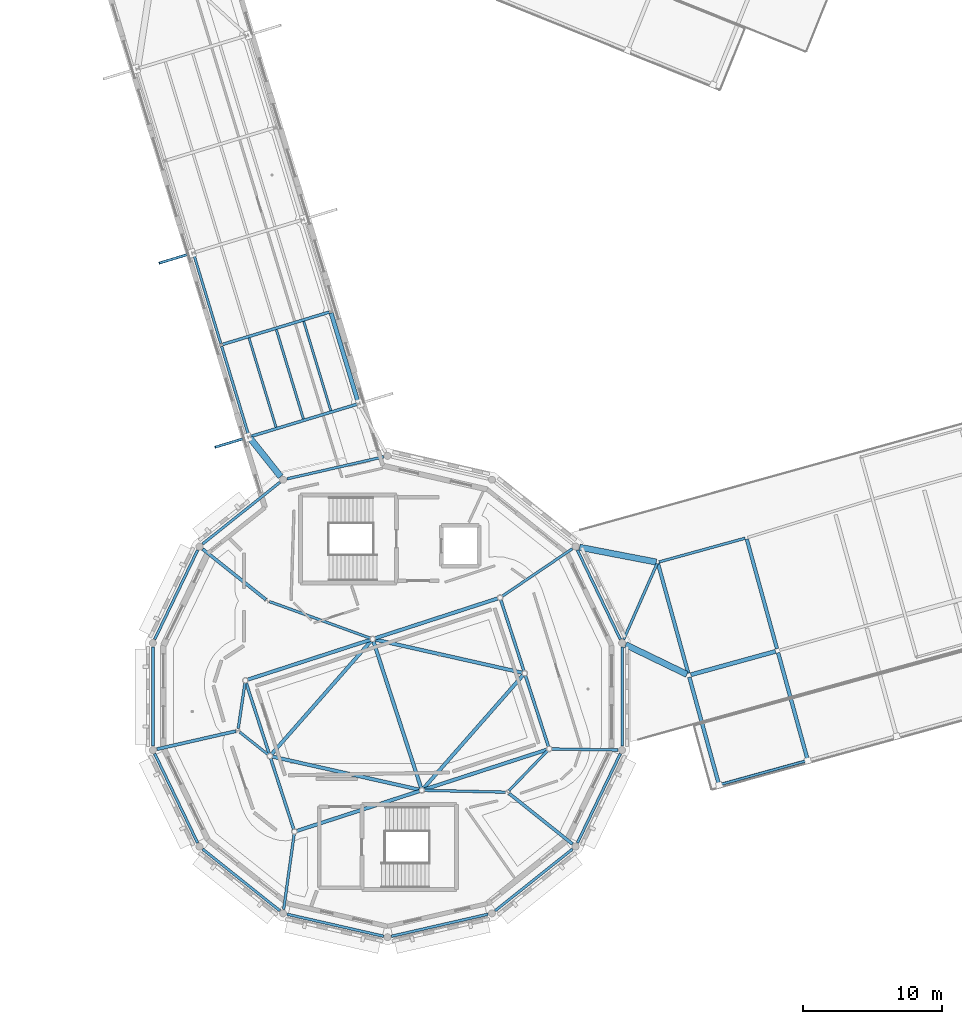
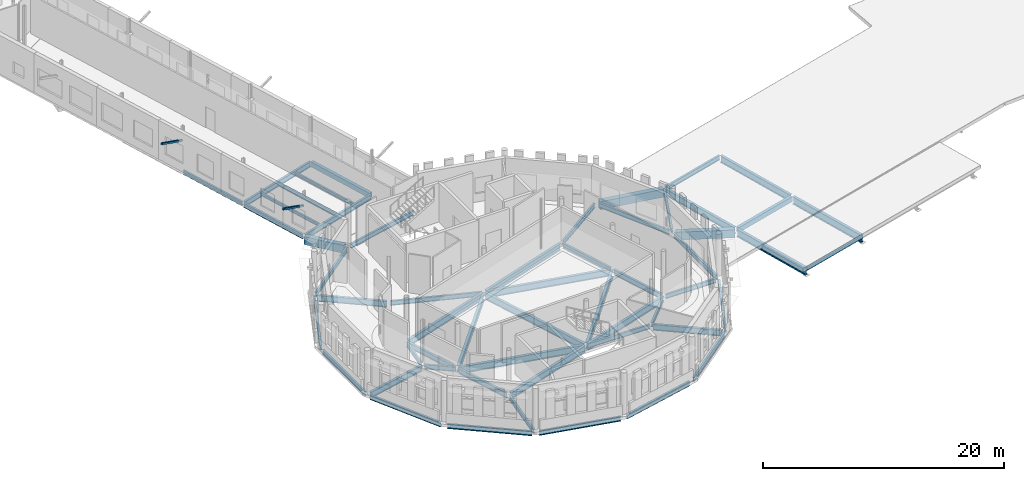
# One storey, part 24 of 90: 55 beams, 2 members.
"""IFC4 building model written with IfcOpenShell, lengths in metres."""

from ifc_helpers import new_model, si_unit, direction, frame, origin, origin_2d, place, context, subcontext, project, spatial, rectangle, hollow_rectangle, i_section, extrude, material, material_profile, profile_set, type_object, element, save


model = new_model("IFC4")

# Units and contexts
model_context = context("Model", 3, precision=1e-05, world=origin(), true_north=direction((0.0, 1.0)))
body_context = subcontext(model_context, "Body", "Model", "MODEL_VIEW")
ifc_project = project(units=[si_unit("LENGTHUNIT", "METRE"), si_unit("AREAUNIT", "SQUARE_METRE"), si_unit("VOLUMEUNIT", "CUBIC_METRE"), si_unit("PLANEANGLEUNIT", "RADIAN"), si_unit("MASSUNIT", "GRAM", prefix="KILO")], contexts=[model_context])

# Site, building, storey
site_placement = place(None, origin())
site = spatial("IfcSite", under=ifc_project, at=site_placement, CompositionType="ELEMENT")
building_placement = place(site_placement, origin())
building = spatial("IfcBuilding", under=site, at=building_placement, Name="Wrenclough Park School", CompositionType="ELEMENT")
storey_placement = place(building_placement, frame((0.0, 0.0, 8.39990234375)))
storey = spatial("IfcBuildingStorey", under=building, at=storey_placement, Name="L02", CompositionType="ELEMENT", Elevation=8.39990234375)

# Beams
ifc_material_1 = material(Name="Concrete C32/40", Category="concrete")
ifc_material_profile_1 = material_profile(ifc_material_1, rectangle(XDim=0.300048828125, YDim=0.5, at=origin_2d()), Name="RC BEAM 300x500")
ifc_profile_set_1 = profile_set([ifc_material_profile_1], Name="Concrete C32/40")
beam_type_1 = type_object("IfcBeamType", Name="STR-BM-RC300", PredefinedType="BEAM", material=ifc_profile_set_1)
beam_1_placement = place(storey_placement, frame((58.2451171875, 25.0625, -0.474853515625), z_axis=(0.963996729966, 0.265914092548, 0.0), x_axis=(-0.265914092548, 0.963996729966, 0.0)))
element("IfcBeam", 1, at=beam_1_placement, inside=storey, type_object=beam_type_1, Name="W12 L02 longitudinal edge beam R1", PredefinedType="BEAM", context=body_context, shape_type="SweptSolid", body=[
    extrude(rectangle(XDim=0.300048828125, YDim=0.5, at=origin_2d()), origin(), (0.0, 0.0, 1.0), 6.29833984375),
])
beam_2_placement = place(storey_placement, frame((34.39453125, 44.585205078125, -0.489990234375), z_axis=(-0.290006383217, 0.957024711119, 0.0), x_axis=(-0.957024711119, -0.290006383217, 0.0)))
element("IfcBeam", 2, at=beam_2_placement, inside=storey, type_object=beam_type_1, Name="W23 L02 longitudinal edge beam R1", PredefinedType="BEAM", context=body_context, shape_type="SweptSolid", body=[
    extrude(rectangle(XDim=0.300048828125, YDim=0.5, at=origin_2d()), origin(), (0.0, 0.0, 1.0), 6.6953125),
])
ifc_material_2 = material(Name="Concrete C40/50", Category="concrete")
ifc_material_profile_2 = material_profile(ifc_material_2, rectangle(XDim=0.449951171875, YDim=0.800048828125, at=origin_2d()), Name="RC BEAM 450x800")
ifc_profile_set_2 = profile_set([ifc_material_profile_2], Name="Concrete C40/50")
beam_type_2 = type_object("IfcBeamType", Name="STR-BM-RC450", PredefinedType="BEAM", material=ifc_profile_set_2)
beam_3_placement = place(storey_placement, frame((55.767333984375, 33.13916015625, -0.679931640625), z_axis=(-0.981866859507, 0.18957180751, 0.0), x_axis=(-0.18957180751, -0.981866859507, 0.0)))
element("IfcBeam", 3, at=beam_3_placement, inside=storey, type_object=beam_type_2, Name="W12 L02 drum junction tie beam 2", PredefinedType="BEAM", context=body_context, shape_type="SweptSolid", body=[
    extrude(rectangle(XDim=0.449951171875, YDim=0.800048828125, at=origin_2d()), origin(), (0.0, 0.0, 1.0), 5.599609375),
])
beam_4_placement = place(storey_placement, frame((57.9638671875, 25.08837890625, -0.679931640625), z_axis=(-0.900024917019, 0.4358384434, 0.0), x_axis=(-0.4358384434, -0.900024917019, 0.0)))
element("IfcBeam", 4, at=beam_4_placement, inside=storey, type_object=beam_type_2, Name="W12 L02 drum junction tie beam 4", PredefinedType="BEAM", context=body_context, shape_type="SweptSolid", body=[
    extrude(rectangle(XDim=0.449951171875, YDim=0.800048828125, at=origin_2d()), origin(), (0.0, 0.0, 1.0), 4.87451171875),
])
beam_5_placement = place(storey_placement, frame((26.638916015625, 42.0322265625, -0.679931640625), z_axis=(0.622128984043, -0.782914763696, 0.0), x_axis=(0.782914763696, 0.622128984043, 0.0)))
element("IfcBeam", 5, at=beam_5_placement, inside=storey, type_object=beam_type_2, Name="W23 L02 drum junction tie beam 10", PredefinedType="BEAM", context=body_context, shape_type="SweptSolid", body=[
    extrude(rectangle(XDim=0.449951171875, YDim=0.800048828125, at=origin_2d()), origin(), (0.0, 0.0, 1.0), 3.53173828125),
])
ifc_material_3 = material(Name="Structural steel S355", Category="steel")
ifc_material_profile_3 = material_profile(ifc_material_3, hollow_rectangle(XDim=0.199951171875, YDim=0.300048828125, WallThickness=0.012451171875, InnerFilletRadius=0.012451171875, OuterFilletRadius=0.018798828125, at=origin_2d()), Name="RHS 300x200x12.5")
ifc_profile_set_3 = profile_set([ifc_material_profile_3], Name="Structural steel S355")
beam_type_3 = type_object("IfcBeamType", Name="STR-BM-RHS300", PredefinedType="SPANDREL", material=ifc_profile_set_3)
beam_6_placement = place(storey_placement, frame((60.2666015625, 17.166015625, -0.375), z_axis=(0.964013869435, 0.26585195041, 0.0), x_axis=(-0.26585195041, 0.964013869435, 0.0)))
element("IfcBeam", 6, at=beam_6_placement, inside=storey, type_object=beam_type_3, Name="EAVE-ENTRANCE overhanging eave tip fascia beam 1", PredefinedType="SPANDREL", context=body_context, shape_type="SweptSolid", body=[
    extrude(hollow_rectangle(XDim=0.199951171875, YDim=0.300048828125, WallThickness=0.012451171875, InnerFilletRadius=0.012451171875, OuterFilletRadius=0.018798828125, at=origin_2d()), origin(), (0.0, 0.0, 1.0), 6.60009765625),
])
ifc_material_profile_4 = material_profile(ifc_material_3, i_section(OverallWidth=0.1650390625, OverallDepth=0.303466796875, WebThickness=0.006103515625, FlangeThickness=0.01025390625, FilletRadius=0.0087890625, at=origin_2d()), Name="UKB 305x165x40")
ifc_profile_set_4 = profile_set([ifc_material_profile_4], Name="Structural steel S355")
beam_type_4 = type_object("IfcBeamType", Name="STR-BM-UKB305", PredefinedType="JOIST", material=ifc_profile_set_4)
for number, where, z_axis, x_axis, name in (
    (7, (28.5078125, 42.8056640625, -0.3916015625), (-0.290029687664, 0.957017648883, 0.0), (-0.957017648883, -0.290029687664, 0.0), "W23 L02 secondary floor joist 0037"),
    (8, (32.431640625, 43.99462890625, -0.3916015625), (-0.290029687664, 0.957017648883, 0.0), (-0.957017648883, -0.290029687664, 0.0), "W23 L02 secondary floor joist 0039"),
):
    element("IfcBeam", number, at=place(storey_placement, frame(where, z_axis=z_axis, x_axis=x_axis)), inside=storey, type_object=beam_type_4, Name=name, PredefinedType="JOIST", context=body_context, shape_type="SweptSolid", body=[
        extrude(i_section(OverallWidth=0.1650390625, OverallDepth=0.303466796875, WebThickness=0.006103515625, FlangeThickness=0.01025390625, FilletRadius=0.0087890625, at=origin_2d()), origin(), (0.0, 0.0, 1.0), 6.68701171875),
    ])
ifc_material_profile_5 = material_profile(ifc_material_3, i_section(OverallWidth=0.17138671875, OverallDepth=0.35498046875, WebThickness=0.00732421875, FlangeThickness=0.011474609375, FilletRadius=0.01025390625, at=origin_2d()), Name="UKB 356x171x51")
ifc_profile_set_5 = profile_set([ifc_material_profile_5], Name="Structural steel S355")
beam_type_5 = type_object("IfcBeamType", Name="STR-BM-UKB356", PredefinedType="JOIST", material=ifc_profile_set_5)
beam_7_placement = place(storey_placement, frame((30.4697265625, 43.400146484375, -0.41748046875), z_axis=(-0.290029687664, 0.957017648883, 0.0), x_axis=(-0.957017648883, -0.290029687664, 0.0)))
element("IfcBeam", 9, at=beam_7_placement, inside=storey, type_object=beam_type_5, Name="W23 L02 secondary floor joist 0038", PredefinedType="JOIST", context=body_context, shape_type="SweptSolid", body=[
    extrude(i_section(OverallWidth=0.17138671875, OverallDepth=0.35498046875, WebThickness=0.00732421875, FlangeThickness=0.011474609375, FilletRadius=0.01025390625, at=origin_2d()), origin(), (0.0, 0.0, 1.0), 6.68701171875),
])
ifc_material_profile_6 = material_profile(ifc_material_3, i_section(OverallWidth=0.177978515625, OverallDepth=0.406494140625, WebThickness=0.0078125, FlangeThickness=0.0126953125, FilletRadius=0.01025390625, at=origin_2d()), Name="UKB 406x178x60")
ifc_profile_set_6 = profile_set([ifc_material_profile_6], Name="Structural steel S355")
beam_type_6 = type_object("IfcBeamType", Name="STR-BM-UKB406", PredefinedType="BEAM", material=ifc_profile_set_6)
beam_8_placement = place(storey_placement, frame((24.547119140625, 48.807373046875, -0.443115234375), z_axis=(-0.290016504178, 0.957021644115, 0.0), x_axis=(-0.957021644115, -0.290016504178, 0.0)))
element("IfcBeam", 10, at=beam_8_placement, inside=storey, type_object=beam_type_6, Name="W23 L02 longitudinal edge beam L2", PredefinedType="BEAM", context=body_context, shape_type="SweptSolid", body=[
    extrude(i_section(OverallWidth=0.177978515625, OverallDepth=0.406494140625, WebThickness=0.0078125, FlangeThickness=0.0126953125, FilletRadius=0.01025390625, at=origin_2d()), origin(), (0.0, 0.0, 1.0), 6.695068359375),
])
ifc_material_profile_7 = material_profile(ifc_material_3, i_section(OverallWidth=0.18994140625, OverallDepth=0.453369140625, WebThickness=0.008544921875, FlangeThickness=0.0126953125, FilletRadius=0.01025390625, at=origin_2d()), Name="UKB 457x191x67")
ifc_profile_set_7 = profile_set([ifc_material_profile_7], Name="Structural steel S355")
beam_type_7 = type_object("IfcBeamType", Name="STR-BM-UKB457A", PredefinedType="BEAM", material=ifc_profile_set_7)
beam_9_placement = place(storey_placement, frame((55.963134765625, 33.14697265625, -0.45166015625), z_axis=(0.964011503304, 0.26586053016, 0.0), x_axis=(-0.26586053016, 0.964011503304, 0.0)))
element("IfcBeam", 11, at=beam_9_placement, inside=storey, type_object=beam_type_7, Name="W12 L02 longitudinal edge beam L1", PredefinedType="BEAM", context=body_context, shape_type="SweptSolid", body=[
    extrude(i_section(OverallWidth=0.18994140625, OverallDepth=0.453369140625, WebThickness=0.008544921875, FlangeThickness=0.0126953125, FilletRadius=0.01025390625, at=origin_2d()), origin(), (0.0, 0.0, 1.0), 6.398681640625),
])
beam_10_placement = place(storey_placement, frame((26.547119140625, 42.207275390625, -0.466552734375), z_axis=(-0.290006383217, 0.957024711119, 0.0), x_axis=(-0.957024711119, -0.290006383217, 0.0)))
element("IfcBeam", 12, at=beam_10_placement, inside=storey, type_object=beam_type_7, Name="W23 L02 longitudinal edge beam L1", PredefinedType="BEAM", context=body_context, shape_type="SweptSolid", body=[
    extrude(i_section(OverallWidth=0.18994140625, OverallDepth=0.453369140625, WebThickness=0.008544921875, FlangeThickness=0.0126953125, FilletRadius=0.01025390625, at=origin_2d()), origin(), (0.0, 0.0, 1.0), 6.6953125),
])
beam_11_placement = place(storey_placement, frame((29.806640625, 13.63525390625, -0.506591796875), z_axis=(-0.137992447638, -0.990433281143, 0.0), x_axis=(0.990433281143, -0.137992447638, 0.0)))
element("IfcBeam", 13, at=beam_11_placement, inside=storey, type_object=beam_type_7, Name="Primary frame continuity tie beam 0044", PredefinedType="BEAM", context=body_context, shape_type="SweptSolid", body=[
    extrude(i_section(OverallWidth=0.18994140625, OverallDepth=0.453369140625, WebThickness=0.008544921875, FlangeThickness=0.0126953125, FilletRadius=0.01025390625, at=origin_2d()), origin(), (0.0, 0.0, 1.0), 5.44384765625),
])
beam_12_placement = place(storey_placement, frame((27.9296875, 19.344482421875, -0.506591796875), z_axis=(-0.783584446301, 0.621285293175, 0.0), x_axis=(-0.621285293175, -0.783584446301, 0.0)))
element("IfcBeam", 14, at=beam_12_placement, inside=storey, type_object=beam_type_7, Name="Primary frame continuity tie beam 0046", PredefinedType="BEAM", context=body_context, shape_type="SweptSolid", body=[
    extrude(i_section(OverallWidth=0.18994140625, OverallDepth=0.453369140625, WebThickness=0.008544921875, FlangeThickness=0.0126953125, FilletRadius=0.01025390625, at=origin_2d()), origin(), (0.0, 0.0, 1.0), 2.597900390625),
])
beam_13_placement = place(storey_placement, frame((26.2822265625, 24.4775390625, -0.506591796875), z_axis=(-0.146270775667, -0.989244590678, 0.0), x_axis=(0.989244590678, -0.146270775667, 0.0)))
element("IfcBeam", 15, at=beam_13_placement, inside=storey, type_object=beam_type_7, Name="Primary frame continuity tie beam 0050", PredefinedType="BEAM", context=body_context, shape_type="SweptSolid", body=[
    extrude(i_section(OverallWidth=0.18994140625, OverallDepth=0.453369140625, WebThickness=0.008544921875, FlangeThickness=0.0126953125, FilletRadius=0.01025390625, at=origin_2d()), origin(), (0.0, 0.0, 1.0), 3.3115234375),
])
beam_14_placement = place(storey_placement, frame((39.14013671875, 16.77490234375, -0.506591796875), z_axis=(0.999750140675, -0.022352991294, 0.0), x_axis=(0.022352991294, 0.999750140675, 0.0)))
element("IfcBeam", 16, at=beam_14_placement, inside=storey, type_object=beam_type_7, Name="Primary frame continuity tie beam 0054", PredefinedType="BEAM", context=body_context, shape_type="SweptSolid", body=[
    extrude(i_section(OverallWidth=0.18994140625, OverallDepth=0.453369140625, WebThickness=0.008544921875, FlangeThickness=0.0126953125, FilletRadius=0.01025390625, at=origin_2d()), origin(), (0.0, 0.0, 1.0), 5.810546875),
])
beam_15_placement = place(storey_placement, frame((35.2705078125, 27.681884765625, -0.506591796875), z_axis=(-0.939945337011, 0.341325011434, 0.0), x_axis=(-0.341325011434, -0.939945337011, 0.0)))
element("IfcBeam", 17, at=beam_15_placement, inside=storey, type_object=beam_type_7, Name="Primary frame continuity tie beam 0058", PredefinedType="BEAM", context=body_context, shape_type="SweptSolid", body=[
    extrude(i_section(OverallWidth=0.18994140625, OverallDepth=0.453369140625, WebThickness=0.008544921875, FlangeThickness=0.0126953125, FilletRadius=0.01025390625, at=origin_2d()), origin(), (0.0, 0.0, 1.0), 7.690673828125),
])
beam_16_placement = place(storey_placement, frame((47.96728515625, 19.61669921875, -0.506591796875), z_axis=(-0.693923305112, -0.720048919604, 0.0), x_axis=(0.720048919604, -0.693923305112, 0.0)))
element("IfcBeam", 18, at=beam_16_placement, inside=storey, type_object=beam_type_7, Name="Primary frame continuity tie beam 0062", PredefinedType="BEAM", context=body_context, shape_type="SweptSolid", body=[
    extrude(i_section(OverallWidth=0.18994140625, OverallDepth=0.453369140625, WebThickness=0.008544921875, FlangeThickness=0.0126953125, FilletRadius=0.01025390625, at=origin_2d()), origin(), (0.0, 0.0, 1.0), 3.98095703125),
])
beam_17_placement = place(storey_placement, frame((48.270263671875, 19.74267578125, -0.506591796875), z_axis=(0.999870299133, -0.016105431103, 0.0), x_axis=(0.016105431103, 0.999870299133, 0.0)))
element("IfcBeam", 19, at=beam_17_placement, inside=storey, type_object=beam_type_7, Name="Primary frame continuity tie beam 0064", PredefinedType="BEAM", context=body_context, shape_type="SweptSolid", body=[
    extrude(i_section(OverallWidth=0.18994140625, OverallDepth=0.453369140625, WebThickness=0.008544921875, FlangeThickness=0.0126953125, FilletRadius=0.01025390625, at=origin_2d()), origin(), (0.0, 0.0, 1.0), 4.760009765625),
])
beam_18_placement = place(storey_placement, frame((44.716796875, 30.68798828125, -0.506591796875), z_axis=(0.828110046098, 0.560565564008, 0.0), x_axis=(-0.560565564008, 0.828110046098, 0.0)))
element("IfcBeam", 20, at=beam_18_placement, inside=storey, type_object=beam_type_7, Name="Primary frame continuity tie beam 0072", PredefinedType="BEAM", context=body_context, shape_type="SweptSolid", body=[
    extrude(i_section(OverallWidth=0.18994140625, OverallDepth=0.453369140625, WebThickness=0.008544921875, FlangeThickness=0.0126953125, FilletRadius=0.01025390625, at=origin_2d()), origin(), (0.0, 0.0, 1.0), 6.07568359375),
])
beam_19_placement = place(storey_placement, frame((55.82568359375, 33.028076171875, -0.506591796875), z_axis=(-0.403378684813, -0.915033134175, 0.0), x_axis=(0.915033134175, -0.403378684813, 0.0)))
element("IfcBeam", 21, at=beam_19_placement, inside=storey, type_object=beam_type_7, Name="Primary frame continuity tie beam 0116", PredefinedType="BEAM", context=body_context, shape_type="SweptSolid", body=[
    extrude(i_section(OverallWidth=0.18994140625, OverallDepth=0.453369140625, WebThickness=0.008544921875, FlangeThickness=0.0126953125, FilletRadius=0.01025390625, at=origin_2d()), origin(), (0.0, 0.0, 1.0), 5.93017578125),
])
ifc_material_profile_8 = material_profile(ifc_material_3, i_section(OverallWidth=0.19140625, OverallDepth=0.4599609375, WebThickness=0.010009765625, FlangeThickness=0.01611328125, FilletRadius=0.01025390625, at=origin_2d()), Name="UKB 457x191x82")
ifc_profile_set_8 = profile_set([ifc_material_profile_8], Name="Structural steel S355")
beam_type_8 = type_object("IfcBeamType", Name="STR-BM-UKB457B", PredefinedType="SPANDREL", material=ifc_profile_set_8)
for number, where, z_axis, x_axis, name in (
    (22, (53.1923828125, 27.597900390625, -0.510009765625), (-0.433865238323, 0.900977777182, 0.0), (-0.900977777182, -0.433865238323, 0.0), "D2 L02 outer ring spandrel beam 1"),
    (23, (36.21923828125, 40.685791015625, -0.510009765625), (-0.974928448916, -0.222518582359, 0.0), (0.222518582359, -0.974928448916, 0.0), "D2 L02 outer ring spandrel beam 4"),
    (24, (28.790283203125, 38.862060546875, -0.510009765625), (-0.781840614213, -0.623478350841, 0.0), (0.623478350841, -0.781840614213, 0.0), "D2 L02 outer ring spandrel beam 5"),
    (25, (22.888427734375, 33.99560546875, -0.510009765625), (-0.433865238323, -0.900977777182, 0.0), (0.900977777182, -0.433865238323, 0.0), "D2 L02 outer ring spandrel beam 6"),
    (26, (19.6826171875, 27.050537109375, -0.510009765625), (0.0, -1.0, 0.0), (1.0, 0.0, 0.0), "D2 L02 outer ring spandrel beam 7"),
    (27, (19.8076171875, 19.402099609375, -0.510009765625), (0.433865238323, -0.900977777182, 0.0), (0.900977777182, 0.433865238323, 0.0), "D2 L02 outer ring spandrel beam 8"),
    (28, (23.238525390625, 12.565185546875, -0.510009765625), (0.781840614213, -0.623478350841, 0.0), (0.623478350841, 0.781840614213, 0.0), "D2 L02 outer ring spandrel beam 9"),
    (29, (29.29638671875, 7.894287109375, -0.510009765625), (0.974928448916, -0.222518582359, 0.0), (0.222518582359, 0.974928448916, 0.0), "D2 L02 outer ring spandrel beam 10"),
    (30, (36.78076171875, 6.314208984375, -0.510009765625), (0.974928448916, 0.222518582359, 0.0), (-0.222518582359, 0.974928448916, 0.0), "D2 L02 outer ring spandrel beam 11"),
    (31, (44.209716796875, 8.137939453125, -0.510009765625), (0.781840614213, 0.623478350841, 0.0), (-0.623478350841, 0.781840614213, 0.0), "D2 L02 outer ring spandrel beam 12"),
    (32, (50.111572265625, 13.00439453125, -0.510009765625), (0.433865238323, 0.900977777182, 0.0), (-0.900977777182, 0.433865238323, 0.0), "D2 L02 outer ring spandrel beam 13"),
    (33, (53.3173828125, 19.949462890625, -0.510009765625), (0.0, 1.0, 0.0), (-1.0, 0.0, 0.0), "D2 L02 outer ring spandrel beam 14"),
):
    element("IfcBeam", number, at=place(storey_placement, frame(where, z_axis=z_axis, x_axis=x_axis)), inside=storey, type_object=beam_type_8, Name=name, PredefinedType="SPANDREL", context=body_context, shape_type="SweptSolid", body=[
        extrude(i_section(OverallWidth=0.19140625, OverallDepth=0.4599609375, WebThickness=0.010009765625, FlangeThickness=0.01611328125, FilletRadius=0.01025390625, at=origin_2d()), origin(), (0.0, 0.0, 1.0), 7.100830078125),
    ])
ifc_material_profile_9 = material_profile(ifc_material_3, i_section(OverallWidth=0.209228515625, OverallDepth=0.533203125, WebThickness=0.010009765625, FlangeThickness=0.015625, FilletRadius=0.0126953125, at=origin_2d()), Name="UKB 533x210x92")
ifc_profile_set_9 = profile_set([ifc_material_profile_9], Name="Structural steel S355")
beam_type_9 = type_object("IfcBeamType", Name="STR-BM-UKB533A", PredefinedType="BEAM", material=ifc_profile_set_9)
for number, where, z_axis, x_axis, name in (
    (34, (29.77587890625, 13.982421875, -0.54638671875), (-0.308979634461, 0.951068654456, 0.0), (-0.951068654456, -0.308979634461, 0.0), "D2 L02 hall frame girder 0.1"),
    (35, (28.0146484375, 19.403564453125, -0.54638671875), (-0.309020970938, 0.951055224222, 0.0), (-0.951055224222, -0.309020970938, 0.0), "D2 L02 hall frame girder 1.2"),
):
    element("IfcBeam", number, at=place(storey_placement, frame(where, z_axis=z_axis, x_axis=x_axis)), inside=storey, type_object=beam_type_9, Name=name, PredefinedType="BEAM", context=body_context, shape_type="SweptSolid", body=[
        extrude(i_section(OverallWidth=0.209228515625, OverallDepth=0.533203125, WebThickness=0.010009765625, FlangeThickness=0.015625, FilletRadius=0.0126953125, at=origin_2d()), origin(), (0.0, 0.0, 1.0), 5.34228515625),
    ])
beam_20_placement = place(storey_placement, frame((48.0361328125, 19.91552734375, -0.54638671875), z_axis=(-0.30896620549, 0.951073017105, 0.0), x_axis=(-0.951073017105, -0.30896620549, 0.0)))
element("IfcBeam", 36, at=beam_20_placement, inside=storey, type_object=beam_type_9, Name="D2 L02 hall frame girder 5.6", PredefinedType="BEAM", context=body_context, shape_type="SweptSolid", body=[
    extrude(i_section(OverallWidth=0.209228515625, OverallDepth=0.533203125, WebThickness=0.010009765625, FlangeThickness=0.015625, FilletRadius=0.0126953125, at=origin_2d()), origin(), (0.0, 0.0, 1.0), 5.342529296875),
])
beam_21_placement = place(storey_placement, frame((46.27490234375, 25.336669921875, -0.54638671875), z_axis=(-0.309020970938, 0.951055224222, 0.0), x_axis=(-0.951055224222, -0.309020970938, 0.0)))
element("IfcBeam", 37, at=beam_21_placement, inside=storey, type_object=beam_type_9, Name="D2 L02 hall frame girder 6.7", PredefinedType="BEAM", context=body_context, shape_type="SweptSolid", body=[
    extrude(i_section(OverallWidth=0.209228515625, OverallDepth=0.533203125, WebThickness=0.010009765625, FlangeThickness=0.015625, FilletRadius=0.0126953125, at=origin_2d()), origin(), (0.0, 0.0, 1.0), 5.34228515625),
])
for number, where, z_axis, x_axis, name in (
    (38, (26.672607421875, 42.14013671875, -0.50634765625), (0.957026201411, 0.290001465191, 0.0), (-0.290001465191, 0.957026201411, 0.0), "W23 L02 transverse floor beam 1"),
    (39, (24.672607421875, 48.740234375, -0.50634765625), (0.957026201411, 0.290001465191, 0.0), (-0.290001465191, 0.957026201411, 0.0), "W23 L02 transverse floor beam 2"),
):
    element("IfcBeam", number, at=place(storey_placement, frame(where, z_axis=z_axis, x_axis=x_axis)), inside=storey, type_object=beam_type_9, Name=name, PredefinedType="BEAM", context=body_context, shape_type="SweptSolid", body=[
        extrude(i_section(OverallWidth=0.209228515625, OverallDepth=0.533203125, WebThickness=0.010009765625, FlangeThickness=0.015625, FilletRadius=0.0126953125, at=origin_2d()), origin(), (0.0, 0.0, 1.0), 7.99853515625),
    ])
ifc_material_profile_10 = material_profile(ifc_material_3, i_section(OverallWidth=0.22900390625, OverallDepth=0.6123046875, WebThickness=0.011962890625, FlangeThickness=0.01953125, FilletRadius=0.0126953125, at=origin_2d()), Name="UKB 610x229x125")
ifc_profile_set_10 = profile_set([ifc_material_profile_10], Name="Structural steel S355")
beam_type_10 = type_object("IfcBeamType", Name="STR-BM-UKB610", PredefinedType="BEAM", material=ifc_profile_set_10)
beam_22_placement = place(storey_placement, frame((23.238525390625, 34.07568359375, -0.5859375), z_axis=(0.781831068118, -0.623490321437, 0.0), x_axis=(0.623490321437, 0.781831068118, 0.0)))
element("IfcBeam", 40, at=beam_22_placement, inside=storey, type_object=beam_type_10, Name="D2 L02 radial girder 6", PredefinedType="BEAM", context=body_context, shape_type="SweptSolid", body=[
    extrude(i_section(OverallWidth=0.22900390625, OverallDepth=0.6123046875, WebThickness=0.011962890625, FlangeThickness=0.01953125, FilletRadius=0.0126953125, at=origin_2d()), origin(), (0.0, 0.0, 1.0), 5.811279296875),
])
beam_23_placement = place(storey_placement, frame((19.96337890625, 19.7255859375, -0.5859375), z_axis=(0.974922350434, 0.222545300162, 0.0), x_axis=(-0.222545300162, 0.974922350434, 0.0)))
element("IfcBeam", 41, at=beam_23_placement, inside=storey, type_object=beam_type_10, Name="D2 L02 radial girder 8", PredefinedType="BEAM", context=body_context, shape_type="SweptSolid", body=[
    extrude(i_section(OverallWidth=0.22900390625, OverallDepth=0.6123046875, WebThickness=0.011962890625, FlangeThickness=0.01953125, FilletRadius=0.0126953125, at=origin_2d()), origin(), (0.0, 0.0, 1.0), 5.81103515625),
])
beam_24_placement = place(storey_placement, frame((49.761474609375, 12.92431640625, -0.5859375), z_axis=(-0.781831068118, 0.623490321437, 0.0), x_axis=(-0.623490321437, -0.781831068118, 0.0)))
element("IfcBeam", 42, at=beam_24_placement, inside=storey, type_object=beam_type_10, Name="D2 L02 radial girder 13", PredefinedType="BEAM", context=body_context, shape_type="SweptSolid", body=[
    extrude(i_section(OverallWidth=0.22900390625, OverallDepth=0.6123046875, WebThickness=0.011962890625, FlangeThickness=0.01953125, FilletRadius=0.0126953125, at=origin_2d()), origin(), (0.0, 0.0, 1.0), 5.811279296875),
])
ifc_material_profile_11 = material_profile(ifc_material_3, i_section(OverallWidth=0.253662109375, OverallDepth=0.68359375, WebThickness=0.012451171875, FlangeThickness=0.01904296875, FilletRadius=0.01513671875, at=origin_2d()), Name="UKB 686x254x140")
ifc_profile_set_11 = profile_set([ifc_material_profile_11], Name="Structural steel S355")
beam_type_11 = type_object("IfcBeamType", Name="STR-BM-UKB686", PredefinedType="BEAM", material=ifc_profile_set_11)
beam_25_placement = place(storey_placement, frame((55.89306640625, 33.023193359375, -0.566650390625), z_axis=(0.265877152993, -0.964006918812, 0.0), x_axis=(0.964006918812, 0.265877152993, 0.0)))
element("IfcBeam", 43, at=beam_25_placement, inside=storey, type_object=beam_type_11, Name="EAVE-ENTRANCE interior back-span girder 1", PredefinedType="BEAM", context=body_context, shape_type="SweptSolid", body=[
    extrude(i_section(OverallWidth=0.253662109375, OverallDepth=0.68359375, WebThickness=0.012451171875, FlangeThickness=0.01904296875, FilletRadius=0.01513671875, at=origin_2d()), origin(), (0.0, 0.0, 1.0), 8.1484375),
])
beam_26_placement = place(storey_placement, frame((62.25537109375, 34.778076171875, -0.566650390625), z_axis=(0.265904996036, -0.963999239151, 0.0), x_axis=(0.963999239151, 0.265904996036, 0.0)))
element("IfcBeam", 44, at=beam_26_placement, inside=storey, type_object=beam_type_11, Name="EAVE-ENTRANCE interior back-span girder 2", PredefinedType="BEAM", context=body_context, shape_type="SweptSolid", body=[
    extrude(i_section(OverallWidth=0.253662109375, OverallDepth=0.68359375, WebThickness=0.012451171875, FlangeThickness=0.01904296875, FilletRadius=0.01513671875, at=origin_2d()), origin(), (0.0, 0.0, 1.0), 8.148681640625),
])
beam_27_placement = place(storey_placement, frame((30.00146484375, 13.86767578125, -0.62158203125), z_axis=(0.951057167055, 0.309014991534, 0.0), x_axis=(-0.309014991534, 0.951057167055, 0.0)))
element("IfcBeam", 45, at=beam_27_placement, inside=storey, type_object=beam_type_11, Name="D2 L02 hall frame girder 0.3", PredefinedType="BEAM", context=body_context, shape_type="SweptSolid", body=[
    extrude(i_section(OverallWidth=0.253662109375, OverallDepth=0.68359375, WebThickness=0.012451171875, FlangeThickness=0.01904296875, FilletRadius=0.01513671875, at=origin_2d()), origin(), (0.0, 0.0, 1.0), 9.2421875),
])
beam_28_placement = place(storey_placement, frame((28.244384765625, 19.194091796875, -0.62158203125), z_axis=(0.975536888871, -0.219835798842, 0.0), x_axis=(0.219835798842, 0.975536888871, 0.0)))
element("IfcBeam", 46, at=beam_28_placement, inside=storey, type_object=beam_type_11, Name="D2 L02 hall frame girder 1.3", PredefinedType="BEAM", context=body_context, shape_type="SweptSolid", body=[
    extrude(i_section(OverallWidth=0.253662109375, OverallDepth=0.68359375, WebThickness=0.012451171875, FlangeThickness=0.01904296875, FilletRadius=0.01513671875, at=origin_2d()), origin(), (0.0, 0.0, 1.0), 10.806884765625),
])
beam_29_placement = place(storey_placement, frame((28.18798828125, 19.367919921875, -0.62158203125), z_axis=(0.660009919684, 0.751256884107, 0.0), x_axis=(-0.751256884107, 0.660009919684, 0.0)))
element("IfcBeam", 47, at=beam_29_placement, inside=storey, type_object=beam_type_11, Name="D2 L02 hall frame girder 1.4", PredefinedType="BEAM", context=body_context, shape_type="SweptSolid", body=[
    extrude(i_section(OverallWidth=0.253662109375, OverallDepth=0.68359375, WebThickness=0.012451171875, FlangeThickness=0.01904296875, FilletRadius=0.01513671875, at=origin_2d()), origin(), (0.0, 0.0, 1.0), 10.806640625),
])
beam_30_placement = place(storey_placement, frame((26.478515625, 24.709716796875, -0.62158203125), z_axis=(0.951059689436, 0.309007228281, 0.0), x_axis=(-0.309007228281, 0.951059689436, 0.0)))
element("IfcBeam", 48, at=beam_30_placement, inside=storey, type_object=beam_type_11, Name="D2 L02 hall frame girder 2.4", PredefinedType="BEAM", context=body_context, shape_type="SweptSolid", body=[
    extrude(i_section(OverallWidth=0.253662109375, OverallDepth=0.68359375, WebThickness=0.012451171875, FlangeThickness=0.01904296875, FilletRadius=0.01513671875, at=origin_2d()), origin(), (0.0, 0.0, 1.0), 9.242431640625),
])
beam_31_placement = place(storey_placement, frame((38.906005859375, 16.94921875, -0.62158203125), z_axis=(-0.309008580269, 0.951059250163, 0.0), x_axis=(-0.951059250163, -0.309008580269, 0.0)))
element("IfcBeam", 49, at=beam_31_placement, inside=storey, type_object=beam_type_11, Name="D2 L02 hall frame girder 3.4", PredefinedType="BEAM", context=body_context, shape_type="SweptSolid", body=[
    extrude(i_section(OverallWidth=0.253662109375, OverallDepth=0.68359375, WebThickness=0.012451171875, FlangeThickness=0.01904296875, FilletRadius=0.01513671875, at=origin_2d()), origin(), (0.0, 0.0, 1.0), 11.042236328125),
])
beam_32_placement = place(storey_placement, frame((39.131591796875, 16.834228515625, -0.62158203125), z_axis=(0.951057167055, 0.309014991534, 0.0), x_axis=(-0.309014991534, 0.951057167055, 0.0)))
element("IfcBeam", 50, at=beam_32_placement, inside=storey, type_object=beam_type_11, Name="D2 L02 hall frame girder 3.5", PredefinedType="BEAM", context=body_context, shape_type="SweptSolid", body=[
    extrude(i_section(OverallWidth=0.253662109375, OverallDepth=0.68359375, WebThickness=0.012451171875, FlangeThickness=0.01904296875, FilletRadius=0.01513671875, at=origin_2d()), origin(), (0.0, 0.0, 1.0), 9.2421875),
])
beam_33_placement = place(storey_placement, frame((39.079345703125, 16.913330078125, -0.62158203125), z_axis=(0.660011468277, 0.751255523602, 0.0), x_axis=(-0.751255523602, 0.660011468277, 0.0)))
element("IfcBeam", 51, at=beam_33_placement, inside=storey, type_object=beam_type_11, Name="D2 L02 hall frame girder 3.6", PredefinedType="BEAM", context=body_context, shape_type="SweptSolid", body=[
    extrude(i_section(OverallWidth=0.253662109375, OverallDepth=0.68359375, WebThickness=0.012451171875, FlangeThickness=0.01904296875, FilletRadius=0.01513671875, at=origin_2d()), origin(), (0.0, 0.0, 1.0), 10.80712890625),
])
beam_34_placement = place(storey_placement, frame((35.613037109375, 27.581787109375, -0.62158203125), z_axis=(0.975532043777, -0.219857298181, 0.0), x_axis=(0.219857298181, 0.975532043777, 0.0)))
element("IfcBeam", 52, at=beam_34_placement, inside=storey, type_object=beam_type_11, Name="D2 L02 hall frame girder 4.6", PredefinedType="BEAM", context=body_context, shape_type="SweptSolid", body=[
    extrude(i_section(OverallWidth=0.253662109375, OverallDepth=0.68359375, WebThickness=0.012451171875, FlangeThickness=0.01904296875, FilletRadius=0.01513671875, at=origin_2d()), origin(), (0.0, 0.0, 1.0), 10.806884765625),
])
beam_35_placement = place(storey_placement, frame((35.608642578125, 27.67626953125, -0.62158203125), z_axis=(0.951059689436, 0.309007228281, 0.0), x_axis=(-0.309007228281, 0.951059689436, 0.0)))
element("IfcBeam", 53, at=beam_35_placement, inside=storey, type_object=beam_type_11, Name="D2 L02 hall frame girder 4.7", PredefinedType="BEAM", context=body_context, shape_type="SweptSolid", body=[
    extrude(i_section(OverallWidth=0.253662109375, OverallDepth=0.68359375, WebThickness=0.012451171875, FlangeThickness=0.01904296875, FilletRadius=0.01513671875, at=origin_2d()), origin(), (0.0, 0.0, 1.0), 9.242431640625),
])
ifc_material_profile_12 = material_profile(ifc_material_3, i_section(OverallWidth=0.2666015625, OverallDepth=0.76220703125, WebThickness=0.014404296875, FlangeThickness=0.021484375, FilletRadius=0.0166015625, at=origin_2d()), Name="UKB 762x267x173")
ifc_profile_set_12 = profile_set([ifc_material_profile_12], Name="Structural steel S355")
beam_type_12 = type_object("IfcBeamType", Name="STR-BM-UKB762", PredefinedType="BEAM", material=ifc_profile_set_12)
beam_36_placement = place(storey_placement, frame((58.13720703125, 24.885986328125, -0.60595703125), z_axis=(0.265899690931, -0.96400070247, 0.0), x_axis=(0.96400070247, 0.265899690931, 0.0)))
element("IfcBeam", 54, at=beam_36_placement, inside=storey, type_object=beam_type_12, Name="EAVE-ENTRANCE 7.80 m overhanging eave girder 1", PredefinedType="BEAM", context=body_context, shape_type="SweptSolid", body=[
    extrude(i_section(OverallWidth=0.2666015625, OverallDepth=0.76220703125, WebThickness=0.014404296875, FlangeThickness=0.021484375, FilletRadius=0.0166015625, at=origin_2d()), origin(), (0.0, 0.0, 1.0), 8.00830078125),
])
beam_37_placement = place(storey_placement, frame((64.499755859375, 26.640869140625, -0.60595703125), z_axis=(0.265891876729, -0.964002857822, 0.0), x_axis=(0.964002857822, 0.265891876729, 0.0)))
element("IfcBeam", 55, at=beam_37_placement, inside=storey, type_object=beam_type_12, Name="EAVE-ENTRANCE 7.80 m overhanging eave girder 2", PredefinedType="BEAM", context=body_context, shape_type="SweptSolid", body=[
    extrude(i_section(OverallWidth=0.2666015625, OverallDepth=0.76220703125, WebThickness=0.014404296875, FlangeThickness=0.021484375, FilletRadius=0.0166015625, at=origin_2d()), origin(), (0.0, 0.0, 1.0), 8.008544921875),
])

# Members
ifc_material_profile_13 = material_profile(ifc_material_3, hollow_rectangle(XDim=0.179931640625, YDim=0.179931640625, WallThickness=0.010009765625, InnerFilletRadius=0.010009765625, OuterFilletRadius=0.014892578125, at=origin_2d()), Name="SHS 180x180x10.0")
ifc_profile_set_13 = profile_set([ifc_material_profile_13], Name="Structural steel S355")
member_type = type_object("IfcMemberType", Name="STR-MEM-STRUT2", PredefinedType="STRUT", material=ifc_profile_set_13)
for number, where, z_axis, x_axis, name in (
    (56, (26.488525390625, 42.08447265625, 2.75), (-0.898685603645, -0.272300712114, 0.343826275878), (0.289979832763, -0.957032756279, 0.0), "W23 overhanging eave knee-brace strut 1"),
    (57, (22.488525390625, 55.284423828125, 2.75), (-0.898685603645, -0.272300712114, 0.343826275878), (0.289979832763, -0.957032756279, 0.0), "W23 overhanging eave knee-brace strut 3"),
):
    element("IfcMember", number, at=place(storey_placement, frame(where, z_axis=z_axis, x_axis=x_axis)), inside=storey, type_object=member_type, Name=name, PredefinedType="STRUT", context=body_context, shape_type="SweptSolid", body=[
        extrude(hollow_rectangle(XDim=0.179931640625, YDim=0.179931640625, WallThickness=0.010009765625, InnerFilletRadius=0.010009765625, OuterFilletRadius=0.014892578125, at=origin_2d()), origin(), (0.0, 0.0, 1.0), 2.617919921875),
    ])

save(model, "model.ifc")
